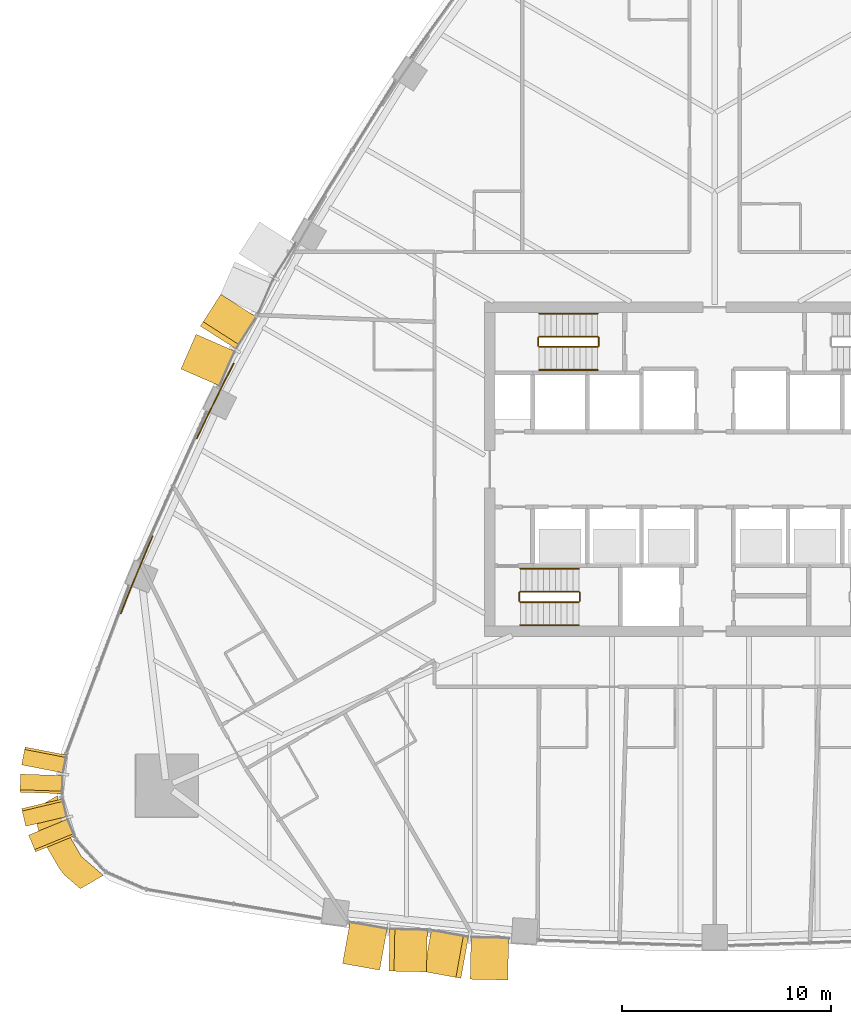
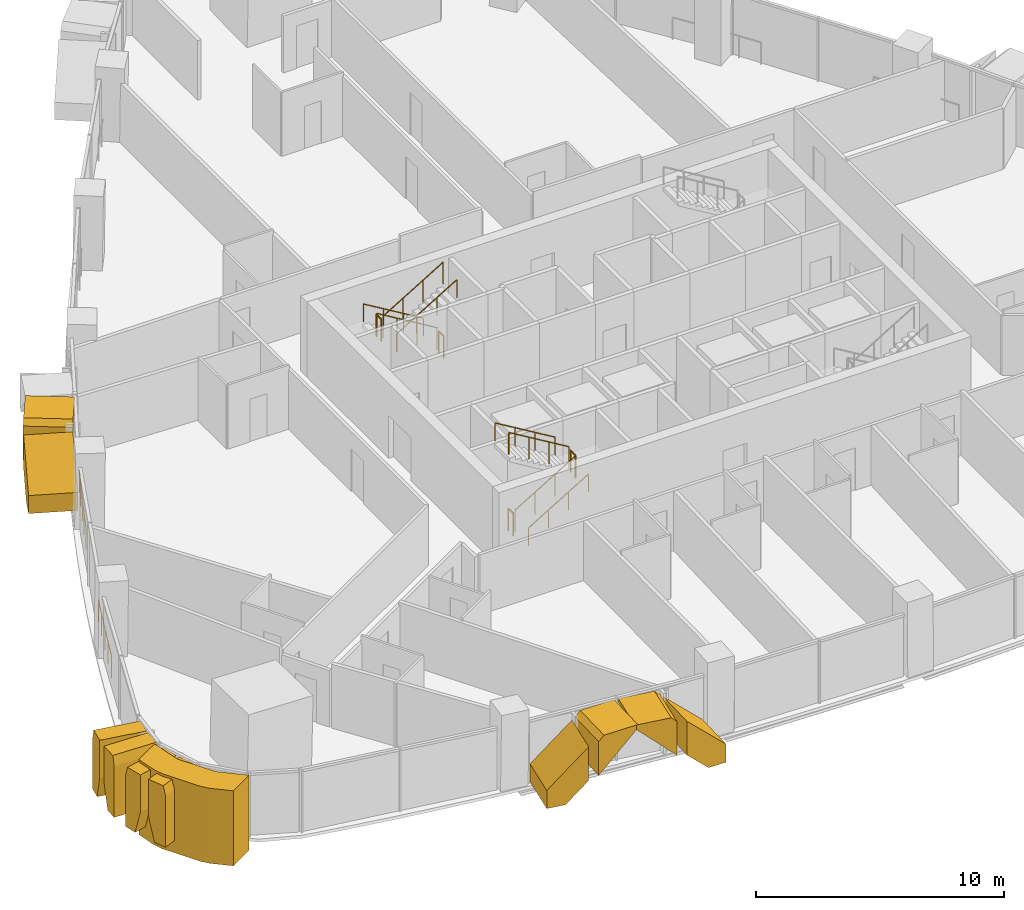
# One storey, part 15 of 18: 14 railings, 11 coverings.
"""IFC4 building model written with IfcOpenShell, lengths in metres."""

from ifc_helpers import new_model, si_unit, direction, frame, origin, origin_2d, place, context, subcontext, project, spatial, polyline, circle, outline, extrude, material, layer, layer_set, type_object, element, save


model = new_model("IFC4")

# Units and contexts
model_context = context("Model", 3, precision=1e-05, world=origin(), true_north=direction((0.0, 1.0)))
body_context = subcontext(model_context, "Body", "Model", "MODEL_VIEW")
ifc_project = project(units=[si_unit("LENGTHUNIT", "METRE"), si_unit("AREAUNIT", "SQUARE_METRE"), si_unit("VOLUMEUNIT", "CUBIC_METRE"), si_unit("PLANEANGLEUNIT", "RADIAN"), si_unit("MASSUNIT", "GRAM", prefix="KILO")], contexts=[model_context])

# Site, building, storey
site_placement = place(None, origin())
site = spatial("IfcSite", under=ifc_project, at=site_placement, CompositionType="ELEMENT")
building_placement = place(site_placement, origin())
building = spatial("IfcBuilding", under=site, at=building_placement, Name="Sierra Prisma Convention Tower", CompositionType="ELEMENT")
storey_placement = place(building_placement, frame((0.0, 0.0, 81.300048828125)))
storey = spatial("IfcBuildingStorey", under=building, at=storey_placement, Name="L16", CompositionType="ELEMENT", Elevation=81.300048828125)

# Coverings
ifc_material_1 = material(Name="Aluminium composite bronze anodised", Category="aluminium")
ifc_layer_1 = layer(ifc_material_1, 1.199951171875)
ifc_layer_set_1 = layer_set([ifc_layer_1], Name="Bronze corner pier")
covering_type_1 = type_object("IfcCoveringType", Name="Bronze corner pier", PredefinedType="CLADDING", material=ifc_layer_set_1)
covering_1_placement = place(storey_placement, frame((0.0, 0.0, -0.60009765625)))
element("IfcCovering", 1, at=covering_1_placement, inside=storey, type_object=covering_type_1, Name="Corner pier SW L16.1", PredefinedType="CLADDING", context=body_context, shape_type="SweptSolid", body=[
    extrude(outline(polyline([(-31.069580078125, -19.4296875), (-31.32861328125, -19.117919921875), (-32.220947265625, -17.572265625), (-32.361328125, -17.192138671875), (-32.537841796875, -16.245361328125), (-31.435791015625, -15.609130859375), (-31.181640625, -16.972412109375), (-30.289306640625, -18.51806640625), (-29.23583984375, -19.419677734375), (-30.337890625, -20.055908203125), (-31.069580078125, -19.4296875)])), origin(), (0.0, 0.0, 1.0), 3.699951171875),
])
ifc_material_2 = material(Name="Aluminium 6063-T6 bronze anodised", Category="aluminium")
ifc_layer_2 = layer(ifc_material_2, 2.0)
ifc_layer_set_2 = layer_set([ifc_layer_2], Name="Bronze crystal chevron frame")
covering_type_2 = type_object("IfcCoveringType", Name="Bronze crystal chevron frame", PredefinedType="CLADDING", material=ifc_layer_set_2)
covering_2_placement = place(storey_placement, frame((-17.7958984375, -23.633544921875, 0.0), z_axis=(-0.17699694115, -0.984211401117, -2.7107966e-05), x_axis=(0.984211401479, -0.176996941215, -2.329e-09)))
element("IfcCovering", 2, at=covering_2_placement, inside=storey, type_object=covering_type_2, Name="CW-2 chevron frame S2.1.1", PredefinedType="CLADDING", context=body_context, shape_type="SweptSolid", body=[
    extrude(outline(polyline([(0.0, 0.0), (0.8059250627621184, -4.235164736271502e-22), (1.7999069649173536, 0.955322270167839), (1.7999069610413216, 2.619628910181338), (-2.072485819692686e-09, 0.8898925777980348), (0.0, 0.0)])), origin(), (0.0, 0.0, -1.0), 2.0),
])
covering_3_placement = place(storey_placement, frame((-15.5830078125, -23.996337890625, 2.74462890625), z_axis=(-0.020887430193, -0.999781833817, -5.346942e-06), x_axis=(1.11684e-07, 5.345775e-06, -0.999999999986)))
element("IfcCovering", 3, at=covering_3_placement, inside=storey, type_object=covering_type_2, Name="CW-2 chevron frame S2.1.2", PredefinedType="CLADDING", context=body_context, shape_type="SweptSolid", body=[
    extrude(outline(polyline([(0.0, 0.0), (1.6643066406012088, 0.0), (-0.06542968750579334, 1.7999532620662568), (-0.2353515625033643, 1.7999532620662568), (-0.23535156255580453, 0.24492671273615138), (0.0, 0.0)])), origin(), (0.0, 0.0, -1.0), 2.0),
])
covering_4_placement = place(storey_placement, frame((-13.9072265625, -24.021484375, 2.97998046875), z_axis=(-0.177137162934, -0.984186173341, 4.1377733e-05), x_axis=(-7.329534e-06, -4.0723392e-05, -0.999999999144)))
element("IfcCovering", 4, at=covering_4_placement, inside=storey, type_object=covering_type_2, Name="CW-2 chevron frame S2.2.1", PredefinedType="CLADDING", context=body_context, shape_type="SweptSolid", body=[
    extrude(outline(polyline([(0.0, 0.0), (0.16992187485453697, 0.0), (1.8996582019017312, 1.7999501989417441), (0.23535156270147467, 1.7999501989417441), (-3.140413369504547e-09, 1.5550961537883343), (0.0, 0.0)])), origin(), (0.0, 0.0, -1.0), 2.0),
])
covering_5_placement = place(storey_placement, frame((-9.894775390625, -24.421875, 0.0), z_axis=(-0.020889572844, -0.999781789061, -2.720654e-06), x_axis=(-5.6833e-08, -2.720061e-06, 0.999999999996)))
element("IfcCovering", 5, at=covering_5_placement, inside=storey, type_object=covering_type_2, Name="CW-2 chevron frame S2.2.2", PredefinedType="CLADDING", context=body_context, shape_type="SweptSolid", body=[
    extrude(outline(polyline([(0.0, 0.0), (0.8898925781217065, -5.888815103038644e-24), (2.6196289062473763, 1.7999532620648198), (0.9553222656285356, 1.7999532620648198), (-1.890608082985096e-11, 0.8060842446851643), (0.0, 0.0)])), origin(), (0.0, 0.0, -1.0), 2.0),
])
covering_6_placement = place(storey_placement, frame((-23.620361328125, 8.370849609375, 2.97998046875), z_axis=(-0.842454293923, 0.538767818469, 2.0795603e-05), x_axis=(-1.7519345e-05, 1.1204002e-05, -0.999999999784)))
element("IfcCovering", 6, at=covering_6_placement, inside=storey, type_object=covering_type_2, Name="CW-2 chevron frame NW4.2.1", PredefinedType="CLADDING", context=body_context, shape_type="SweptSolid", body=[
    extrude(outline(polyline([(0.0, 0.0), (0.16796874996368039, 5.69100261436483e-22), (1.8984374996921278, 1.808045883076102), (0.23730468755131207, 1.808045883076102), (-7.910079768502185e-10, 1.5602420700325517), (0.0, 0.0)])), origin(), (0.0, 0.0, -1.0), 2.0),
])
covering_7_placement = place(storey_placement, frame((-25.52734375, 4.799560546875, 0.0), z_axis=(-0.916345691719, 0.400388028001, -1.7388949e-05), x_axis=(-1.5934289e-05, 6.962327e-06, 0.999999999849)))
element("IfcCovering", 7, at=covering_7_placement, inside=storey, type_object=covering_type_2, Name="CW-2 chevron frame NW4.2.2", PredefinedType="CLADDING", context=body_context, shape_type="SweptSolid", body=[
    extrude(outline(polyline([(0.0, 0.0), (0.8879394529907545, 7.521139719638404e-22), (2.618164062393622, 1.8079766523790202), (0.9572753907697283, 1.8079766523790202), (-7.707033038215948e-10, 0.8078306335185895), (0.0, 0.0)])), origin(), (0.0, 0.0, -1.0), 2.0),
])
covering_8_placement = place(storey_placement, frame((-32.979248046875, -13.2822265625, 0.0), z_axis=(-0.981818776732, 0.189820677484, -7.446558e-06), x_axis=(-0.18982067749, -0.981818776759, -1.141e-09)))
element("IfcCovering", 8, at=covering_8_placement, inside=storey, type_object=covering_type_2, Name="CW-2 chevron frame SW1.1.1", PredefinedType="CLADDING", context=body_context, shape_type="SweptSolid", body=[
    extrude(outline(polyline([(0.0, 0.0), (0.5612125963211685, 0.0), (0.8680806400462876, 1.143066407324743), (0.8680806379500138, 2.979980469773813), (0.11860132932467977, 2.979980468407971), (-2.896725066827258e-09, 2.5383300780546234), (0.0, 0.0)])), origin(), (0.0, 0.0, -1.0), 2.0),
])
covering_9_placement = place(storey_placement, frame((-33.19384765625, -14.5751953125, 2.97998046875), z_axis=(-0.999420659782, 0.034034462447, -1.2921085e-05), x_axis=(1.2913599e-05, -4.39762e-07, -0.999999999917)))
element("IfcCovering", 9, at=covering_9_placement, inside=storey, type_object=covering_type_2, Name="CW-2 chevron frame SW1.1.2", PredefinedType="CLADDING", context=body_context, shape_type="SweptSolid", body=[
    extrude(outline(polyline([(0.0, 0.0), (1.8369140623466595, 0.0), (2.979980467782619, 0.3068202711611962), (2.979980468484032, 0.8679345152485655), (0.44165039057092487, 0.8679345152485655), (-1.6449099079820235e-09, 0.7494619636289593), (0.0, 0.0)])), origin(), (0.0, 0.0, -1.0), 2.0),
])
covering_10_placement = place(storey_placement, frame((-33.145263671875, -16.22705078125, 0.0), z_axis=(-0.972973298584, -0.230917644717, 4.0023107e-05), x_axis=(0.230917644902, -0.972973299363, 1.498e-09)))
element("IfcCovering", 10, at=covering_10_placement, inside=storey, type_object=covering_type_2, Name="CW-2 chevron frame SW2.1.1", PredefinedType="CLADDING", context=body_context, shape_type="SweptSolid", body=[
    extrude(outline(polyline([(0.0, 0.0), (0.5613180029583799, -8.470329472543003e-22), (0.867943856438913, 1.1430664046885006), (0.8679438591904997, 2.9799804657172713), (0.11849050523852918, 2.9799804754963635), (3.802265593820756e-09, 2.5383300760919894), (0.0, 0.0)])), origin(), (0.0, 0.0, -1.0), 2.0),
])
covering_11_placement = place(storey_placement, frame((-32.808837890625, -17.49365234375, 2.97998046875), z_axis=(-0.924871385364, -0.380280054679, -2.3392343e-05), x_axis=(2.1634908e-05, 8.895641e-06, -0.999999999726)))
element("IfcCovering", 11, at=covering_11_placement, inside=storey, type_object=covering_type_2, Name="CW-2 chevron frame SW2.1.2", PredefinedType="CLADDING", context=body_context, shape_type="SweptSolid", body=[
    extrude(outline(polyline([(0.0, 0.0), (1.836914061997419, 0.0), (2.9799804690945755, 0.30675644928562923), (2.979980468307566, 0.8679481811468064), (0.4416503908770551, 0.8679481811468064), (-1.6571585252952547e-09, 0.749388839770546), (0.0, 0.0)])), origin(), (0.0, 0.0, -1.0), 2.0),
])

# Railings
ifc_material_3 = material(Name="Stainless steel", Category="steel")
railing_type_1 = type_object("IfcRailingType", Name="Exit stair handrail", PredefinedType="HANDRAIL", material=ifc_material_3)
railing_1_placement = place(storey_placement, frame((-9.300048828125, -7.449951171875, 0.168212890625)))
element("IfcRailing", 12, at=railing_1_placement, inside=storey, type_object=railing_type_1, Name="L16 S1 stair handrail 1", PredefinedType="HANDRAIL", context=body_context, shape_type="SweptSolid", body=[
    extrude(circle(Radius=0.02392578125, at=origin_2d()), frame((0.0, 0.0, 0.8759765625), z_axis=(0.857275202839, 0.0, 0.514858452973), x_axis=(0.0, 1.0, 0.0)), (0.0, 0.0, 1.0), 3.26611328125),
    extrude(circle(Radius=0.02099609375, at=origin_2d()), origin(), (0.0, 0.0, 1.0), 0.851806640625),
    extrude(circle(Radius=0.02099609375, at=origin_2d()), frame((0.933349609375, 0.0, 0.560546875)), (0.0, 0.0, 1.0), 0.851806640625),
    extrude(circle(Radius=0.02099609375, at=origin_2d()), frame((1.86669921875, 0.0, 1.12109375)), (0.0, 0.0, 1.0), 0.851806640625),
    extrude(circle(Radius=0.02099609375, at=origin_2d()), frame((2.800048828125, 0.0, 1.681640625)), (0.0, 0.0, 1.0), 0.851806640625),
])
railing_2_placement = place(storey_placement, frame((-6.5, -4.75, 2.01806640625)))
element("IfcRailing", 13, at=railing_2_placement, inside=storey, type_object=railing_type_1, Name="L16 S1 stair handrail 2", PredefinedType="HANDRAIL", context=body_context, shape_type="SweptSolid", body=[
    extrude(circle(Radius=0.02392578125, at=origin_2d()), frame((0.0, 0.0, 0.8759765625), z_axis=(-0.857242210791, 0.0, 0.514913383045), x_axis=(0.0, -1.0, 0.0)), (0.0, 0.0, 1.0), 3.266357421875),
    extrude(circle(Radius=0.02099609375, at=origin_2d()), origin(), (0.0, 0.0, 1.0), 0.851806640625),
    extrude(circle(Radius=0.02099609375, at=origin_2d()), frame((-0.933349609375, 0.0, 0.560546875)), (0.0, 0.0, 1.0), 0.851806640625),
    extrude(circle(Radius=0.02099609375, at=origin_2d()), frame((-1.86669921875, 0.0, 1.121337890625)), (0.0, 0.0, 1.0), 0.851806640625),
    extrude(circle(Radius=0.02099609375, at=origin_2d()), frame((-2.800048828125, 0.0, 1.681884765625)), (0.0, 0.0, 1.0), 0.851806640625),
])
railing_3_placement = place(storey_placement, frame((-5.60009765625, 7.449951171875, 0.168212890625)))
element("IfcRailing", 14, at=railing_3_placement, inside=storey, type_object=railing_type_1, Name="L16 S3 stair handrail 1", PredefinedType="HANDRAIL", context=body_context, shape_type="SweptSolid", body=[
    extrude(circle(Radius=0.02392578125, at=origin_2d()), frame((0.0, 0.0, 0.8759765625), z_axis=(-0.857255387014, 0.0, 0.514891446264), x_axis=(0.0, -1.0, 0.0)), (0.0, 0.0, 1.0), 3.26611328125),
    extrude(circle(Radius=0.02099609375, at=origin_2d()), origin(), (0.0, 0.0, 1.0), 0.851806640625),
    extrude(circle(Radius=0.02099609375, at=origin_2d()), frame((-0.933349609375, 0.0, 0.560546875)), (0.0, 0.0, 1.0), 0.851806640625),
    extrude(circle(Radius=0.02099609375, at=origin_2d()), frame((-1.866455078125, 0.0, 1.12109375)), (0.0, 0.0, 1.0), 0.851806640625),
    extrude(circle(Radius=0.02099609375, at=origin_2d()), frame((-2.7998046875, 0.0, 1.681640625)), (0.0, 0.0, 1.0), 0.851806640625),
])
railing_4_placement = place(storey_placement, frame((-8.39990234375, 4.75, 2.01806640625)))
element("IfcRailing", 15, at=railing_4_placement, inside=storey, type_object=railing_type_1, Name="L16 S3 stair handrail 2", PredefinedType="HANDRAIL", context=body_context, shape_type="SweptSolid", body=[
    extrude(circle(Radius=0.02392578125, at=origin_2d()), frame((0.0, 0.0, 0.8759765625), z_axis=(0.857222391501, 0.0, 0.514946377315), x_axis=(0.0, 1.0, 0.0)), (0.0, 0.0, 1.0), 3.26611328125),
    extrude(circle(Radius=0.02099609375, at=origin_2d()), origin(), (0.0, 0.0, 1.0), 0.851806640625),
    extrude(circle(Radius=0.02099609375, at=origin_2d()), frame((0.933349609375, 0.0, 0.560546875)), (0.0, 0.0, 1.0), 0.851806640625),
    extrude(circle(Radius=0.02099609375, at=origin_2d()), frame((1.866455078125, 0.0, 1.121337890625)), (0.0, 0.0, 1.0), 0.851806640625),
    extrude(circle(Radius=0.02099609375, at=origin_2d()), frame((2.7998046875, 0.0, 1.681884765625)), (0.0, 0.0, 1.0), 0.851806640625),
])
ifc_material_4 = material(Name="Bronze anodised aluminium", Category="aluminium")
railing_type_2 = type_object("IfcRailingType", Name="Facade guard 1100", PredefinedType="GUARDRAIL", material=ifc_material_4)
railing_5_placement = place(storey_placement, frame((-23.009033203125, 5.05712890625, 0.0)))
element("IfcRailing", 16, at=railing_5_placement, inside=storey, type_object=railing_type_2, Name="Facade guard", PredefinedType="GUARDRAIL", context=body_context, shape_type="SweptSolid", body=[
    extrude(circle(Radius=0.02392578125, at=origin_2d()), frame((0.0, 0.0, 1.076171875), z_axis=(-0.452608247892, -0.891709467226, 0.0), x_axis=(0.891709467226, -0.452608247892, 0.0)), (0.0, 0.0, 1.0), 0.994140625),
    extrude(circle(Radius=0.02392578125, at=origin_2d()), frame((-0.449951171875, -0.886474609375, 1.076171875), z_axis=(-0.443596720488, -0.89622650573, 0.0), x_axis=(0.89622650573, -0.443596720488, 0.0)), (0.0, 0.0, 1.0), 1.0),
    extrude(circle(Radius=0.02392578125, at=origin_2d()), frame((-0.8935546875, -1.78271484375, 1.076171875), z_axis=(-0.439240956696, -0.898369290415, 0.0), x_axis=(0.898369290415, -0.439240956696, 0.0)), (0.0, 0.0, 1.0), 0.994384765625),
    extrude(circle(Radius=0.02392578125, at=origin_2d()), frame((-1.330322265625, -2.676025390625, 1.076171875), z_axis=(-0.430928430802, -0.902386107787, 0.0), x_axis=(0.902386107787, -0.430928430802, 0.0)), (0.0, 0.0, 1.0), 1.0),
    extrude(circle(Radius=0.02099609375, at=origin_2d()), origin(), (0.0, 0.0, 1.0), 1.052001953125),
    extrude(circle(Radius=0.02099609375, at=origin_2d()), frame((-0.449951171875, -0.886474609375, 0.0)), (0.0, 0.0, 1.0), 1.052001953125),
    extrude(circle(Radius=0.02099609375, at=origin_2d()), frame((-0.8935546875, -1.78271484375, 0.0)), (0.0, 0.0, 1.0), 1.052001953125),
    extrude(circle(Radius=0.02099609375, at=origin_2d()), frame((-1.330322265625, -2.676025390625, 0.0)), (0.0, 0.0, 1.0), 1.052001953125),
    extrude(circle(Radius=0.02099609375, at=origin_2d()), frame((-1.76123046875, -3.578369140625, 0.0)), (0.0, 0.0, 1.0), 1.052001953125),
])
railing_6_placement = place(storey_placement, frame((-26.883544921875, -3.201416015625, 0.0)))
element("IfcRailing", 17, at=railing_6_placement, inside=storey, type_object=railing_type_2, Name="Facade guard", PredefinedType="GUARDRAIL", context=body_context, shape_type="SweptSolid", body=[
    extrude(circle(Radius=0.02392578125, at=origin_2d()), frame((0.0, 0.0, 1.076171875), z_axis=(-0.392091666652, -0.919926151896, 0.0), x_axis=(0.919926151896, -0.392091666652, 0.0)), (0.0, 0.0, 1.0), 1.0),
    extrude(circle(Radius=0.02392578125, at=origin_2d()), frame((-0.39208984375, -0.919921875, 1.076171875), z_axis=(-0.383255169718, -0.923642503831, 0.0), x_axis=(0.923642503831, -0.383255169718, 0.0)), (0.0, 0.0, 1.0), 0.994384765625),
    extrude(circle(Radius=0.02392578125, at=origin_2d()), frame((-0.773193359375, -1.83837890625, 1.076171875), z_axis=(-0.378956081395, -0.925414657531, 0.0), x_axis=(0.925414657531, -0.378956081395, 0.0)), (0.0, 0.0, 1.0), 0.999755859375),
    extrude(circle(Radius=0.02392578125, at=origin_2d()), frame((-1.152099609375, -2.763671875, 1.076171875), z_axis=(-0.369781416486, -0.929118778209, 0.0), x_axis=(0.929118778209, -0.369781416486, 0.0)), (0.0, 0.0, 1.0), 0.994384765625),
    extrude(circle(Radius=0.02099609375, at=origin_2d()), origin(), (0.0, 0.0, 1.0), 1.052001953125),
    extrude(circle(Radius=0.02099609375, at=origin_2d()), frame((-0.39208984375, -0.919921875, 0.0)), (0.0, 0.0, 1.0), 1.052001953125),
    extrude(circle(Radius=0.02099609375, at=origin_2d()), frame((-0.773193359375, -1.83837890625, 0.0)), (0.0, 0.0, 1.0), 1.052001953125),
    extrude(circle(Radius=0.02099609375, at=origin_2d()), frame((-1.152099609375, -2.763671875, 0.0)), (0.0, 0.0, 1.0), 1.052001953125),
    extrude(circle(Radius=0.02099609375, at=origin_2d()), frame((-1.519775390625, -3.6875, 0.0)), (0.0, 0.0, 1.0), 1.052001953125),
])
ifc_material_5 = material(Name="Stainless steel", Category="steel")
railing_type_3 = type_object("IfcRailingType", Name="Stair guard 1100", PredefinedType="GUARDRAIL", material=ifc_material_5)
railing_7_placement = place(storey_placement, frame((-9.300048828125, -6.35009765625, 0.168212890625)))
element("IfcRailing", 18, at=railing_7_placement, inside=storey, type_object=railing_type_3, Name="L16 S1 stair guard 1", PredefinedType="GUARDRAIL", context=body_context, shape_type="SweptSolid", body=[
    extrude(circle(Radius=0.02392578125, at=origin_2d()), frame((0.0, 0.0, 1.076171875), z_axis=(0.857275202839, 0.0, 0.514858452973), x_axis=(0.0, 1.0, 0.0)), (0.0, 0.0, 1.0), 3.26611328125),
    extrude(circle(Radius=0.02099609375, at=origin_2d()), origin(), (0.0, 0.0, 1.0), 1.052001953125),
    extrude(circle(Radius=0.02099609375, at=origin_2d()), frame((0.933349609375, 0.0, 0.560546875)), (0.0, 0.0, 1.0), 1.052001953125),
    extrude(circle(Radius=0.02099609375, at=origin_2d()), frame((1.86669921875, 0.0, 1.12109375)), (0.0, 0.0, 1.0), 1.052001953125),
    extrude(circle(Radius=0.02099609375, at=origin_2d()), frame((2.800048828125, 0.0, 1.681640625)), (0.0, 0.0, 1.0), 1.052001953125),
])
railing_8_placement = place(storey_placement, frame((-6.449951171875, -6.300048828125, 1.849853515625)))
element("IfcRailing", 19, at=railing_8_placement, inside=storey, type_object=railing_type_3, Name="L16 S1 stair guard 2", PredefinedType="GUARDRAIL", context=body_context, shape_type="SweptSolid", body=[
    extrude(circle(Radius=0.02392578125, at=origin_2d()), frame((0.0, 0.0, 1.076171875), z_axis=(0.0, 1.0, 0.0), x_axis=(-1.0, 0.0, 0.0)), (0.0, 0.0, 1.0), 0.400146484375),
    extrude(circle(Radius=0.02099609375, at=origin_2d()), origin(), (0.0, 0.0, 1.0), 1.052001953125),
    extrude(circle(Radius=0.02099609375, at=origin_2d()), frame((0.0, 0.400146484375, 0.0)), (0.0, 0.0, 1.0), 1.052001953125),
])
railing_9_placement = place(storey_placement, frame((-6.5, -5.85009765625, 2.01806640625)))
element("IfcRailing", 20, at=railing_9_placement, inside=storey, type_object=railing_type_3, Name="L16 S1 stair guard 3", PredefinedType="GUARDRAIL", context=body_context, shape_type="SweptSolid", body=[
    extrude(circle(Radius=0.02392578125, at=origin_2d()), frame((0.0, 0.0, 1.076171875), z_axis=(-0.857242210791, 0.0, 0.514913383045), x_axis=(0.0, -1.0, 0.0)), (0.0, 0.0, 1.0), 3.266357421875),
    extrude(circle(Radius=0.02099609375, at=origin_2d()), origin(), (0.0, 0.0, 1.0), 1.052001953125),
    extrude(circle(Radius=0.02099609375, at=origin_2d()), frame((-0.933349609375, 0.0, 0.560546875)), (0.0, 0.0, 1.0), 1.052001953125),
    extrude(circle(Radius=0.02099609375, at=origin_2d()), frame((-1.86669921875, 0.0, 1.121337890625)), (0.0, 0.0, 1.0), 1.052001953125),
    extrude(circle(Radius=0.02099609375, at=origin_2d()), frame((-2.800048828125, 0.0, 1.681884765625)), (0.0, 0.0, 1.0), 1.052001953125),
])
railing_10_placement = place(storey_placement, frame((-9.35009765625, -6.300048828125, 0.0)))
element("IfcRailing", 21, at=railing_10_placement, inside=storey, type_object=railing_type_3, Name="L16 S1 stair guard 4", PredefinedType="GUARDRAIL", context=body_context, shape_type="SweptSolid", body=[
    extrude(circle(Radius=0.02392578125, at=origin_2d()), frame((0.0, 0.0, 1.076171875), z_axis=(0.0, 1.0, 0.0), x_axis=(-1.0, 0.0, 0.0)), (0.0, 0.0, 1.0), 0.400146484375),
    extrude(circle(Radius=0.02099609375, at=origin_2d()), origin(), (0.0, 0.0, 1.0), 1.052001953125),
    extrude(circle(Radius=0.02099609375, at=origin_2d()), frame((0.0, 0.400146484375, 0.0)), (0.0, 0.0, 1.0), 1.052001953125),
])
railing_11_placement = place(storey_placement, frame((-5.60009765625, 6.35009765625, 0.168212890625)))
element("IfcRailing", 22, at=railing_11_placement, inside=storey, type_object=railing_type_3, Name="L16 S3 stair guard 1", PredefinedType="GUARDRAIL", context=body_context, shape_type="SweptSolid", body=[
    extrude(circle(Radius=0.02392578125, at=origin_2d()), frame((0.0, 0.0, 1.076171875), z_axis=(-0.857255387014, 0.0, 0.514891446264), x_axis=(0.0, -1.0, 0.0)), (0.0, 0.0, 1.0), 3.26611328125),
    extrude(circle(Radius=0.02099609375, at=origin_2d()), origin(), (0.0, 0.0, 1.0), 1.052001953125),
    extrude(circle(Radius=0.02099609375, at=origin_2d()), frame((-0.933349609375, 0.0, 0.560546875)), (0.0, 0.0, 1.0), 1.052001953125),
    extrude(circle(Radius=0.02099609375, at=origin_2d()), frame((-1.866455078125, 0.0, 1.12109375)), (0.0, 0.0, 1.0), 1.052001953125),
    extrude(circle(Radius=0.02099609375, at=origin_2d()), frame((-2.7998046875, 0.0, 1.681640625)), (0.0, 0.0, 1.0), 1.052001953125),
])
railing_12_placement = place(storey_placement, frame((-8.449951171875, 6.300048828125, 1.849853515625)))
element("IfcRailing", 23, at=railing_12_placement, inside=storey, type_object=railing_type_3, Name="L16 S3 stair guard 2", PredefinedType="GUARDRAIL", context=body_context, shape_type="SweptSolid", body=[
    extrude(circle(Radius=0.02392578125, at=origin_2d()), frame((0.0, 0.0, 1.076171875), z_axis=(0.0, -1.0, 0.0), x_axis=(1.0, 0.0, 0.0)), (0.0, 0.0, 1.0), 0.400146484375),
    extrude(circle(Radius=0.02099609375, at=origin_2d()), origin(), (0.0, 0.0, 1.0), 1.052001953125),
    extrude(circle(Radius=0.02099609375, at=origin_2d()), frame((0.0, -0.400146484375, 0.0)), (0.0, 0.0, 1.0), 1.052001953125),
])
railing_13_placement = place(storey_placement, frame((-8.39990234375, 5.85009765625, 2.01806640625)))
element("IfcRailing", 24, at=railing_13_placement, inside=storey, type_object=railing_type_3, Name="L16 S3 stair guard 3", PredefinedType="GUARDRAIL", context=body_context, shape_type="SweptSolid", body=[
    extrude(circle(Radius=0.02392578125, at=origin_2d()), frame((0.0, 0.0, 1.076171875), z_axis=(0.857222391501, 0.0, 0.514946377315), x_axis=(0.0, 1.0, 0.0)), (0.0, 0.0, 1.0), 3.26611328125),
    extrude(circle(Radius=0.02099609375, at=origin_2d()), origin(), (0.0, 0.0, 1.0), 1.052001953125),
    extrude(circle(Radius=0.02099609375, at=origin_2d()), frame((0.933349609375, 0.0, 0.560546875)), (0.0, 0.0, 1.0), 1.052001953125),
    extrude(circle(Radius=0.02099609375, at=origin_2d()), frame((1.866455078125, 0.0, 1.121337890625)), (0.0, 0.0, 1.0), 1.052001953125),
    extrude(circle(Radius=0.02099609375, at=origin_2d()), frame((2.7998046875, 0.0, 1.681884765625)), (0.0, 0.0, 1.0), 1.052001953125),
])
railing_14_placement = place(storey_placement, frame((-5.550048828125, 6.300048828125, 0.0)))
element("IfcRailing", 25, at=railing_14_placement, inside=storey, type_object=railing_type_3, Name="L16 S3 stair guard 4", PredefinedType="GUARDRAIL", context=body_context, shape_type="SweptSolid", body=[
    extrude(circle(Radius=0.02392578125, at=origin_2d()), frame((0.0, 0.0, 1.076171875), z_axis=(0.0, -1.0, 0.0), x_axis=(1.0, 0.0, 0.0)), (0.0, 0.0, 1.0), 0.400146484375),
    extrude(circle(Radius=0.02099609375, at=origin_2d()), origin(), (0.0, 0.0, 1.0), 1.052001953125),
    extrude(circle(Radius=0.02099609375, at=origin_2d()), frame((0.0, -0.400146484375, 0.0)), (0.0, 0.0, 1.0), 1.052001953125),
])

save(model, "model.ifc")
